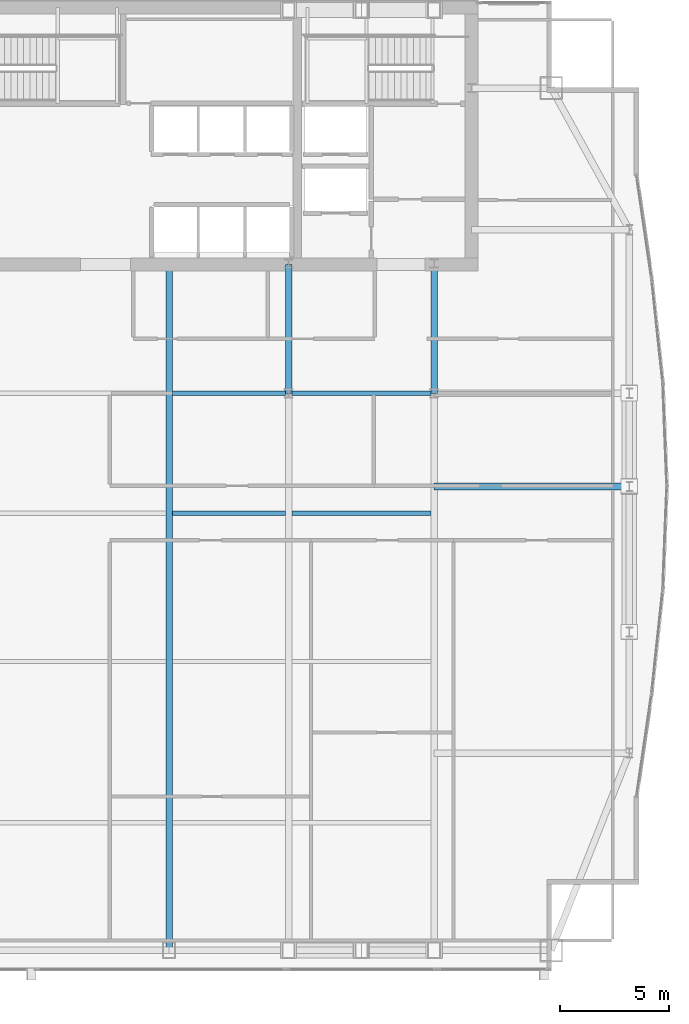
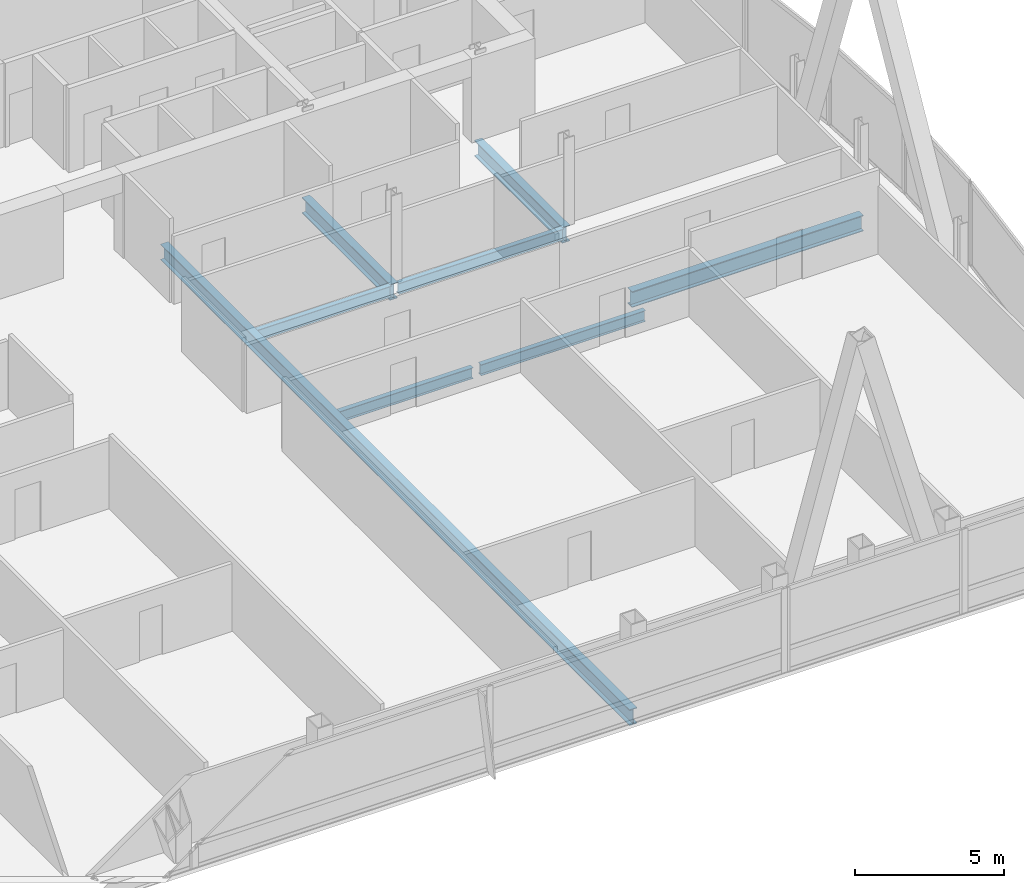
# One storey, part 17 of 31: 8 beams.
"""IFC4 building model written with IfcOpenShell, lengths in metres."""

import ifcopenshell
import ifcopenshell.guid

model = None  # the IFC model being written
_history = None  # IfcOwnerHistory: only IFC2X3 demands one
_inside = {}  # id of a spatial element -> (the spatial element, [elements in it])
_under = {}  # id of a project, library or spatial element -> (it, [spatial elements below it])
_declared = {}  # id of a project -> (the project, [libraries it declares])
_typed = {}  # id of a type object -> (the type object, [elements of that type])
_made_of = {}  # id of a material, layer set ... -> (it, [elements and type objects made of it])


def new_model(schema):
    """Start an empty IFC model of exactly this schema.

    Asked for "IFC4X3", IfcOpenShell would pick the latest addendum, in which some entities
    have other attributes; the version numbers below select the first issue.
    IFC2X3 requires an IfcOwnerHistory on every rooted entity: one is made here for all.
    """
    global model, _history
    if schema == "IFC4X3":
        model = ifcopenshell.file(schema_version=(4, 3, 0, 0))
    else:
        model = ifcopenshell.file(schema=schema)
    _inside.clear()
    _under.clear()
    _declared.clear()
    _typed.clear()
    _made_of.clear()
    _history = None
    if model.schema == "IFC2X3":
        org = make("IfcOrganization", Name="unknown")
        user = make(
            "IfcPersonAndOrganization",
            ThePerson=make("IfcPerson", FamilyName="unknown"),
            TheOrganization=org,
        )
        app = make(
            "IfcApplication",
            ApplicationDeveloper=org,
            Version="unknown",
            ApplicationFullName="unknown",
            ApplicationIdentifier="unknown",
        )
        _history = make(
            "IfcOwnerHistory",
            OwningUser=user,
            OwningApplication=app,
            ChangeAction="ADDED",
            CreationDate=0,
        )
    return model


def make(cls, **values):
    """One entity of the class cls with the attributes given. An attribute that is None is left unset."""
    return model.create_entity(
        cls, **{name: value for name, value in values.items() if value is not None}
    )


def rooted(cls, **values):
    """An entity with a GlobalId (a new one), such as an element, a storey or a relation."""
    return make(cls, GlobalId=ifcopenshell.guid.new(), OwnerHistory=_history, **values)


def si_unit(unit_type, name, prefix=None):
    """IfcSIUnit, for example si_unit("LENGTHUNIT", "METRE", prefix="MILLI")."""
    return make("IfcSIUnit", UnitType=unit_type, Prefix=prefix, Name=name)


def assignment(units):
    """IfcUnitAssignment: the units of a project."""
    return None if units is None else make("IfcUnitAssignment", Units=units)


def point(xyz):
    """IfcCartesianPoint."""
    return None if xyz is None else make("IfcCartesianPoint", Coordinates=xyz)


def direction(xyz):
    """IfcDirection."""
    return None if xyz is None else make("IfcDirection", DirectionRatios=xyz)


def frame(location, z_axis=None, x_axis=None):
    """IfcAxis2Placement3D, a coordinate frame: its origin and axes. An axis left out is left unset."""
    return make(
        "IfcAxis2Placement3D",
        Location=point(location),
        Axis=direction(z_axis),
        RefDirection=direction(x_axis),
    )


def frame_2d(location, x_axis=None):
    """IfcAxis2Placement2D, a coordinate frame in the plane: its origin and x axis."""
    return make(
        "IfcAxis2Placement2D", Location=point(location), RefDirection=direction(x_axis)
    )


def origin():
    """The frame at (0, 0, 0) with its axes left unset."""
    return frame((0.0, 0.0, 0.0))


def origin_2d():
    """The frame at (0, 0) in the plane with its x axis left unset."""
    return frame_2d((0.0, 0.0))


def place(relative_to, where):
    """IfcLocalPlacement: puts the frame where relative to a parent placement (None: the world)."""
    return make(
        "IfcLocalPlacement", PlacementRelTo=relative_to, RelativePlacement=where
    )


def context(
    kind, dimensions, precision=None, world=None, true_north=None, identifier=None
):
    """IfcGeometricRepresentationContext, for example the 3D "Model" context."""
    return make(
        "IfcGeometricRepresentationContext",
        ContextIdentifier=identifier,
        ContextType=kind,
        CoordinateSpaceDimension=dimensions,
        Precision=precision,
        WorldCoordinateSystem=world,
        TrueNorth=true_north,
    )


def subcontext(parent, identifier, kind, view, scale=None):
    """IfcGeometricRepresentationSubContext, for example "Body" below "Model"."""
    return make(
        "IfcGeometricRepresentationSubContext",
        ContextIdentifier=identifier,
        ContextType=kind,
        ParentContext=parent,
        TargetScale=scale,
        TargetView=view,
    )


def project(units=None, contexts=None):
    """IfcProject with its units and contexts."""
    return rooted(
        "IfcProject",
        Name="project",
        RepresentationContexts=contexts,
        UnitsInContext=assignment(units),
    )


def spatial(cls, under=None, at=None, **own):
    """A site, building, storey or space (cls), placed at a placement, below another one or the project."""
    s = rooted(cls, ObjectPlacement=at, **own)
    if under is not None:
        _under.setdefault(under.id(), (under, []))[1].append(s)
    return s


def profile(cls, at=None, kind="AREA", **sizes):
    """A parametric profile (cls). Its sizes go by their IFC names, for example OverallWidth=200.0."""
    return make(cls, ProfileType=kind, Position=at, **sizes)


def i_section(**sizes):
    """IfcIShapeProfileDef."""
    return profile("IfcIShapeProfileDef", **sizes)


def extrude(swept, where, along, depth):
    """IfcExtrudedAreaSolid: the profile swept, set in the frame where, extruded along a direction by depth."""
    return make(
        "IfcExtrudedAreaSolid",
        SweptArea=swept,
        Position=where,
        ExtrudedDirection=direction(along),
        Depth=depth,
    )


def shape(context_of_items, identifier, shape_type, items):
    """IfcShapeRepresentation: the items that make up one representation, for example the "Body"."""
    return make(
        "IfcShapeRepresentation",
        ContextOfItems=context_of_items,
        RepresentationIdentifier=identifier,
        RepresentationType=shape_type,
        Items=items,
    )


def material(Name=None, Category=None):
    """IfcMaterial."""
    return make("IfcMaterial", Name=Name, Category=Category)


def material_profile(
    of_material, cross_section, Name=None, Category=None, Priority=None
):
    """IfcMaterialProfile: a cross section and its material."""
    return make(
        "IfcMaterialProfile",
        Name=Name,
        Material=of_material,
        Profile=cross_section,
        Priority=Priority,
        Category=Category,
    )


def profile_set(profiles, Name=None, composite=None):
    """IfcMaterialProfileSet."""
    return make(
        "IfcMaterialProfileSet",
        Name=Name,
        MaterialProfiles=profiles,
        CompositeProfile=composite,
    )


def made_of(thing, what):
    """Note that an element or type object is made of a material, layer set ...; save() writes the relation."""
    if what is not None:
        _made_of.setdefault(what.id(), (what, []))[1].append(thing)
    return thing


def type_object(cls, material=None, **own):
    """A type object (cls), such as IfcWallType, which elements share."""
    return made_of(rooted(cls, **own), material)


def element(
    cls,
    number,
    at=None,
    inside=None,
    cuts=None,
    type_object=None,
    material=None,
    context=None,
    identifier="Body",
    shape_type=None,
    held_by="IfcProductDefinitionShape",
    body=None,
    shapes=None,
    **own,
):
    """One element of the class cls, such as IfcWall. Its Tag is "e" and its number.

    at: its placement. inside: the storey or other place that contains it. cuts: it is an
    opening in that element (IfcRelVoidsElement). A single representation is given by context,
    identifier, shape_type and body (its items); several are given by shapes. held_by: the class
    of the entity that holds the representations. save() writes the other relations.
    """
    e = rooted(cls, Tag="e%d" % number, ObjectPlacement=at, **own)
    if body is not None:
        shapes = [shape(context, identifier, shape_type, body)]
    if shapes is not None:
        e.Representation = make(held_by, Representations=shapes)
    if inside is not None:
        _inside.setdefault(inside.id(), (inside, []))[1].append(e)
    if cuts is not None:
        rooted(
            "IfcRelVoidsElement", RelatingBuildingElement=cuts, RelatedOpeningElement=e
        )
    if type_object is not None:
        _typed.setdefault(type_object.id(), (type_object, []))[1].append(e)
    return made_of(e, material)


def aggregate(whole, parts):
    """IfcRelAggregates: a whole, such as a stair, and the parts it consists of."""
    return rooted("IfcRelAggregates", RelatingObject=whole, RelatedObjects=parts)


def save(model, path):
    """Write the relations noted so far, then the file.

    IfcRelAggregates (storeys below a building ...), IfcRelContainedInSpatialStructure (elements
    in a storey), IfcRelDefinesByType, IfcRelAssociatesMaterial and IfcRelDeclares: one each for
    every whole, place, type object, material and project.
    """
    for whole, parts in _under.values():
        aggregate(whole, parts)
    for where, things in _inside.values():
        rooted(
            "IfcRelContainedInSpatialStructure",
            RelatedElements=things,
            RelatingStructure=where,
        )
    for kind, things in _typed.values():
        rooted("IfcRelDefinesByType", RelatedObjects=things, RelatingType=kind)
    for what, things in _made_of.values():
        rooted("IfcRelAssociatesMaterial", RelatedObjects=things, RelatingMaterial=what)
    for by, libraries in _declared.values():
        rooted("IfcRelDeclares", RelatingContext=by, RelatedDefinitions=libraries)
    model.write(path)


model = new_model("IFC4")

# Units and contexts
model_context = context("Model", 3, precision=1e-05, world=origin(), true_north=direction((0.0, 1.0)))
body_context = subcontext(model_context, "Body", "Model", "MODEL_VIEW")
ifc_project = project(units=[si_unit("LENGTHUNIT", "METRE"), si_unit("AREAUNIT", "SQUARE_METRE"), si_unit("VOLUMEUNIT", "CUBIC_METRE"), si_unit("PLANEANGLEUNIT", "RADIAN"), si_unit("MASSUNIT", "GRAM", prefix="KILO")], contexts=[model_context])

# Site, building, storey
site_placement = place(None, origin())
site = spatial("IfcSite", under=ifc_project, at=site_placement, CompositionType="ELEMENT")
building_placement = place(site_placement, origin())
building = spatial("IfcBuilding", under=site, at=building_placement, Name="Khoronbel Lancet Exchange", CompositionType="ELEMENT")
storey_placement = place(building_placement, frame((0.0, 0.0, 249.800048828125)))
storey = spatial("IfcBuildingStorey", under=building, at=storey_placement, Name="L64", CompositionType="ELEMENT", Elevation=249.800048828125)

# Beams
ifc_material = material(Name="Steel S355", Category="steel")
ifc_material_profile_1 = material_profile(ifc_material, i_section(OverallWidth=0.300048828125, OverallDepth=0.64990234375, WebThickness=0.01611328125, FlangeThickness=0.031005859375, at=origin_2d()), Name="HEB 650")
ifc_profile_set_1 = profile_set([ifc_material_profile_1], Name="Steel S355")
beam_type_1 = type_object("IfcBeamType", Name="BM-BG4", PredefinedType="BEAM", material=ifc_profile_set_1)
beam_1_placement = place(storey_placement, frame((42.52490234375, 10.14990234375, -0.485107421875), z_axis=(0.0, 1.0, 0.0), x_axis=(-1.0, 0.0, 0.0)))
element("IfcBeam", 1, at=beam_1_placement, inside=storey, type_object=beam_type_1, Name="Level L64 primary floor girder G4", PredefinedType="BEAM", context=body_context, shape_type="SweptSolid", body=[
    extrude(i_section(OverallWidth=0.300048828125, OverallDepth=0.64990234375, WebThickness=0.01611328125, FlangeThickness=0.031005859375, at=origin_2d()), origin(), (0.0, 0.0, 1.0), 31.4501953125),
])
for number, where, z_axis, x_axis, name in (
    (2, (48.0, 35.699951171875, -0.485107421875), (0.0, 1.0, 0.0), (-1.0, 0.0, 0.0), "Level L64 spine tie girder GN5"),
    (3, (54.675048828125, 35.699951171875, -0.485107421875), (0.0, 1.0, 0.0), (-1.0, 0.0, 0.0), "Level L64 spine tie girder GN6"),
):
    element("IfcBeam", number, at=place(storey_placement, frame(where, z_axis=z_axis, x_axis=x_axis)), inside=storey, type_object=beam_type_1, Name=name, PredefinedType="BEAM", context=body_context, shape_type="SweptSolid", body=[
        extrude(i_section(OverallWidth=0.300048828125, OverallDepth=0.64990234375, WebThickness=0.01611328125, FlangeThickness=0.031005859375, at=origin_2d()), origin(), (0.0, 0.0, 1.0), 5.900146484375),
    ])
beam_2_placement = place(storey_placement, frame((54.675048828125, 31.425048828125, -0.485107421875), z_axis=(1.0, 0.0, 0.0), x_axis=(0.0, 1.0, 0.0)))
element("IfcBeam", 4, at=beam_2_placement, inside=storey, type_object=beam_type_1, Name="Level L64 east lens tie girder LG2E", PredefinedType="BEAM", context=body_context, shape_type="SweptSolid", body=[
    extrude(i_section(OverallWidth=0.300048828125, OverallDepth=0.64990234375, WebThickness=0.01611328125, FlangeThickness=0.031005859375, at=origin_2d()), origin(), (0.0, 0.0, 1.0), 8.954833984375),
])
ifc_material_profile_2 = material_profile(ifc_material, i_section(OverallWidth=0.18994140625, OverallDepth=0.449951171875, WebThickness=0.009521484375, FlangeThickness=0.0146484375, at=origin_2d()), Name="IPE 450")
ifc_profile_set_2 = profile_set([ifc_material_profile_2], Name="Steel S355")
beam_type_2 = type_object("IfcBeamType", Name="BM-BJ4", PredefinedType="JOIST", material=ifc_profile_set_2)
beam_3_placement = place(storey_placement, frame((42.675048828125, 30.199951171875, -0.385009765625), z_axis=(1.0, 0.0, 0.0), x_axis=(0.0, 1.0, 0.0)))
element("IfcBeam", 5, at=beam_3_placement, inside=storey, type_object=beam_type_2, Name="Level L64 secondary composite joist J14", PredefinedType="JOIST", context=body_context, shape_type="SweptSolid", body=[
    extrude(i_section(OverallWidth=0.18994140625, OverallDepth=0.449951171875, WebThickness=0.009521484375, FlangeThickness=0.0146484375, at=origin_2d()), origin(), (0.0, 0.0, 1.0), 5.175048828125),
])
beam_4_placement = place(storey_placement, frame((48.14990234375, 30.199951171875, -0.385009765625), z_axis=(1.0, 0.0, 0.0), x_axis=(0.0, 1.0, 0.0)))
element("IfcBeam", 6, at=beam_4_placement, inside=storey, type_object=beam_type_2, Name="Level L64 secondary composite joist J15", PredefinedType="JOIST", context=body_context, shape_type="SweptSolid", body=[
    extrude(i_section(OverallWidth=0.18994140625, OverallDepth=0.449951171875, WebThickness=0.009521484375, FlangeThickness=0.0146484375, at=origin_2d()), origin(), (0.0, 0.0, 1.0), 6.375),
])
beam_5_placement = place(storey_placement, frame((42.675048828125, 35.699951171875, -0.385009765625), z_axis=(1.0, 0.0, 0.0), x_axis=(0.0, 1.0, 0.0)))
element("IfcBeam", 7, at=beam_5_placement, inside=storey, type_object=beam_type_2, Name="Level L64 secondary composite joist J19", PredefinedType="JOIST", context=body_context, shape_type="SweptSolid", body=[
    extrude(i_section(OverallWidth=0.18994140625, OverallDepth=0.449951171875, WebThickness=0.009521484375, FlangeThickness=0.0146484375, at=origin_2d()), origin(), (0.0, 0.0, 1.0), 5.175048828125),
])
beam_6_placement = place(storey_placement, frame((48.14990234375, 35.699951171875, -0.385009765625), z_axis=(1.0, 0.0, 0.0), x_axis=(0.0, 1.0, 0.0)))
element("IfcBeam", 8, at=beam_6_placement, inside=storey, type_object=beam_type_2, Name="Level L64 secondary composite joist J20", PredefinedType="JOIST", context=body_context, shape_type="SweptSolid", body=[
    extrude(i_section(OverallWidth=0.18994140625, OverallDepth=0.449951171875, WebThickness=0.009521484375, FlangeThickness=0.0146484375, at=origin_2d()), origin(), (0.0, 0.0, 1.0), 6.375),
])

save(model, "model.ifc")
